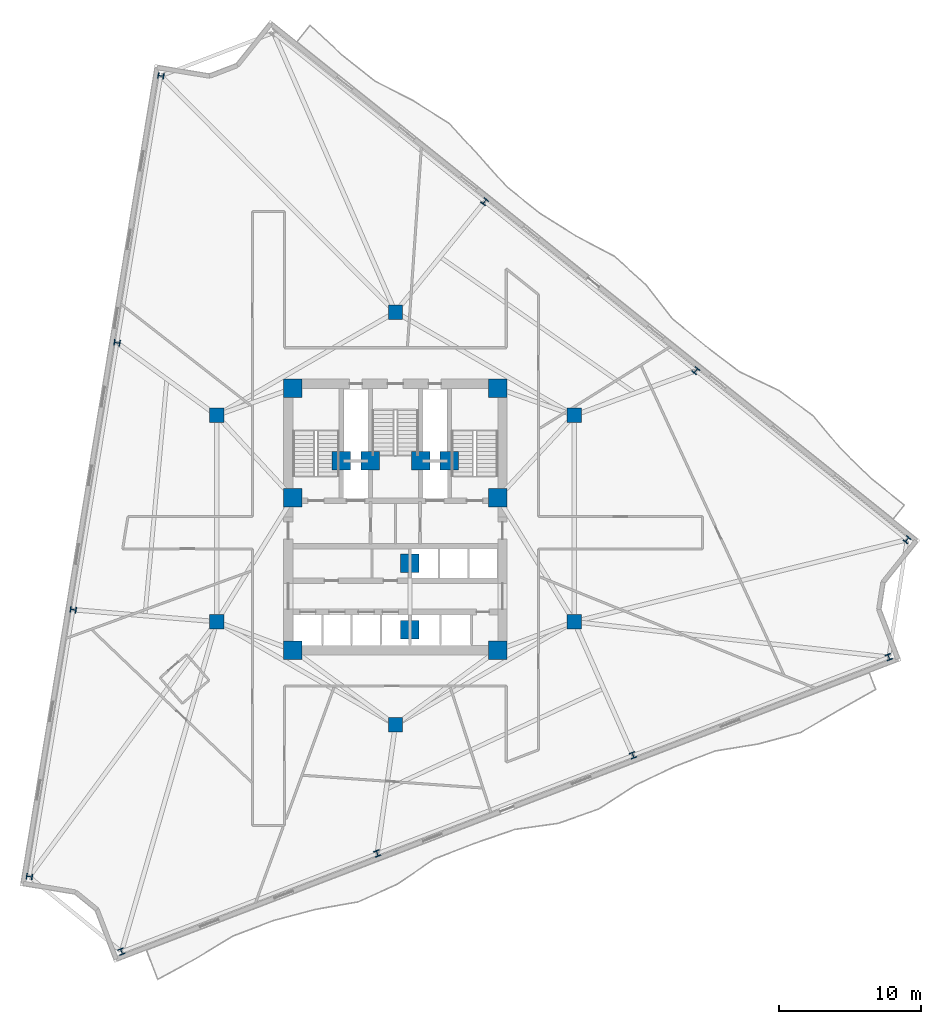
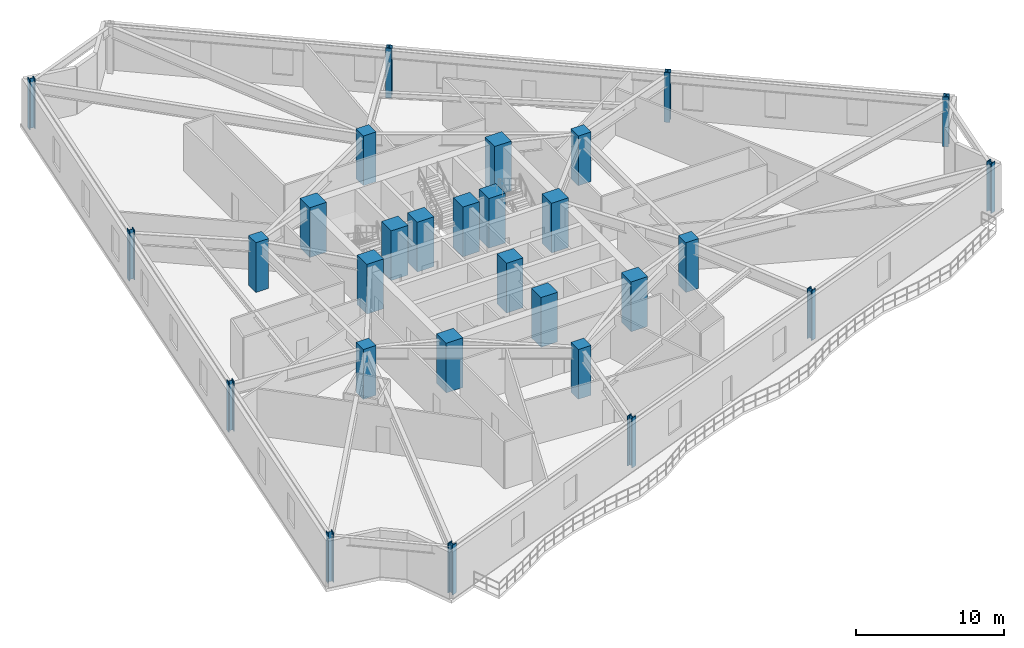
# One storey, part 1 of 10: 29 columns.
"""IFC4 building model written with IfcOpenShell, lengths in metres."""

from ifc_helpers import new_model, si_unit, direction, frame, origin, origin_2d, place, context, subcontext, project, spatial, rectangle, i_section, extrude, material, material_profile, profile_set, type_object, element, save


model = new_model("IFC4")

# Units and contexts
model_context = context("Model", 3, precision=1e-05, world=origin(), true_north=direction((0.0, 1.0)))
body_context = subcontext(model_context, "Body", "Model", "MODEL_VIEW")
ifc_project = project(units=[si_unit("LENGTHUNIT", "METRE"), si_unit("AREAUNIT", "SQUARE_METRE"), si_unit("VOLUMEUNIT", "CUBIC_METRE"), si_unit("PLANEANGLEUNIT", "RADIAN"), si_unit("MASSUNIT", "GRAM", prefix="KILO")], contexts=[model_context])

# Site, building, storey
site_placement = place(None, origin())
site = spatial("IfcSite", under=ifc_project, at=site_placement, CompositionType="ELEMENT")
building_placement = place(site_placement, origin())
building = spatial("IfcBuilding", under=site, at=building_placement, Name="Apsidion Concourse Tower", CompositionType="ELEMENT")
storey_placement = place(building_placement, frame((0.0, 0.0, 136.300048828125)))
storey = spatial("IfcBuildingStorey", under=building, at=storey_placement, Name="L31", CompositionType="ELEMENT", Elevation=136.300048828125)

# Columns
ifc_material_1 = material(Name="Concrete C50/60", Category="concrete")
ifc_material_profile_1 = material_profile(ifc_material_1, rectangle(XDim=1.0, YDim=1.0, at=origin_2d()), Name="RC 1000x1000")
ifc_profile_set_1 = profile_set([ifc_material_profile_1], Name="Concrete C50/60")
column_type_1 = type_object("IfcColumnType", Name="COL-RC-1000", PredefinedType="COLUMN", material=ifc_profile_set_1)
for number, where, z_axis, x_axis, name in (
    (1, (-12.56005859375, -7.25, 0.0), (0.0, 0.0, 1.0), (1.0, 0.0, 0.0), "L31 Interior Spine Column IC1"),
    (2, (12.56005859375, -7.25, 0.0), (0.0, 0.0, 1.0), (1.0, 0.0, 0.0), "L31 Interior Spine Column IC2"),
    (3, (12.56005859375, 7.25, 0.0), (0.0, 0.0, 1.0), (1.0, 0.0, 0.0), "L31 Interior Spine Column IC3"),
    (4, (0.0, 14.5, 0.0), (0.0, 0.0, 1.0), (1.0, 0.0, 0.0), "L31 Interior Spine Column IC4"),
    (5, (-12.56005859375, 7.25, 0.0), (0.0, 0.0, 1.0), (1.0, 0.0, 0.0), "L31 Interior Spine Column IC5"),
    (6, (0.0, -14.5, 0.0), (0.0, 0.0, 1.0), (1.0, 0.0, 0.0), "L31 Interior Spine Column IC6"),
):
    element("IfcColumn", number, at=place(storey_placement, frame(where, z_axis=z_axis, x_axis=x_axis)), inside=storey, type_object=column_type_1, Name=name, PredefinedType="COLUMN", context=body_context, shape_type="SweptSolid", body=[
        extrude(rectangle(XDim=1.0, YDim=1.0, at=origin_2d()), origin(), (0.0, 0.0, 1.0), 4.099853515625),
    ])
ifc_material_profile_2 = material_profile(ifc_material_1, rectangle(XDim=1.300048828125, YDim=1.300048828125, at=origin_2d()), Name="RC 1300x1300")
ifc_profile_set_2 = profile_set([ifc_material_profile_2], Name="Concrete C50/60")
column_type_2 = type_object("IfcColumnType", Name="COL-RC-1300", PredefinedType="COLUMN", material=ifc_profile_set_2)
for number, where, z_axis, x_axis, name in (
    (7, (-7.199951171875, -9.25, 0.0), (0.0, 0.0, 1.0), (1.0, 0.0, 0.0), "L31 Core Super-Column SC1"),
    (8, (7.199951171875, -9.25, 0.0), (0.0, 0.0, 1.0), (1.0, 0.0, 0.0), "L31 Core Super-Column SC2"),
    (9, (7.199951171875, 1.449951171875, 0.0), (0.0, 0.0, 1.0), (1.0, 0.0, 0.0), "L31 Core Super-Column SC3"),
    (10, (7.199951171875, 9.14990234375, 0.0), (0.0, 0.0, 1.0), (1.0, 0.0, 0.0), "L31 Core Super-Column SC4"),
    (11, (-7.199951171875, 9.14990234375, 0.0), (0.0, 0.0, 1.0), (1.0, 0.0, 0.0), "L31 Core Super-Column SC5"),
    (12, (-7.199951171875, 1.449951171875, 0.0), (0.0, 0.0, 1.0), (1.0, 0.0, 0.0), "L31 Core Super-Column SC6"),
    (13, (-3.800048828125, 4.050048828125, 0.0), (0.0, 0.0, 1.0), (1.0, 0.0, 0.0), "L31 Core Super-Column CC1"),
    (14, (3.800048828125, 4.050048828125, 0.0), (0.0, 0.0, 1.0), (1.0, 0.0, 0.0), "L31 Core Super-Column CC2"),
    (15, (-1.77490234375, 4.050048828125, 0.0), (0.0, 0.0, 1.0), (1.0, 0.0, 0.0), "L31 Core Super-Column CC3"),
    (16, (1.77490234375, 4.050048828125, 0.0), (0.0, 0.0, 1.0), (1.0, 0.0, 0.0), "L31 Core Super-Column CC4"),
    (17, (1.02490234375, -3.14990234375, 0.0), (0.0, 0.0, 1.0), (1.0, 0.0, 0.0), "L31 Core Super-Column CC5"),
    (18, (1.02490234375, -7.800048828125, 0.0), (0.0, 0.0, 1.0), (1.0, 0.0, 0.0), "L31 Core Super-Column CC6"),
):
    element("IfcColumn", number, at=place(storey_placement, frame(where, z_axis=z_axis, x_axis=x_axis)), inside=storey, type_object=column_type_2, Name=name, PredefinedType="COLUMN", context=body_context, shape_type="SweptSolid", body=[
        extrude(rectangle(XDim=1.300048828125, YDim=1.300048828125, at=origin_2d()), origin(), (0.0, 0.0, 1.0), 4.099853515625),
    ])
ifc_material_2 = material(Name="Structural steel ASTM A992 Grade 50", Category="steel")
ifc_material_profile_3 = material_profile(ifc_material_2, i_section(OverallWidth=0.410888671875, OverallDepth=0.43408203125, WebThickness=0.035888671875, FlangeThickness=0.057373046875, at=origin_2d()), Name="W14X311")
ifc_profile_set_3 = profile_set([ifc_material_profile_3], Name="Structural steel ASTM A992 Grade 50")
column_type_3 = type_object("IfcColumnType", Name="COL-W14-311", PredefinedType="COLUMN", material=ifc_profile_set_3)
for number, where, z_axis, x_axis, name in (
    (19, (-16.477294921875, 31.100341796875, 0.0), (0.0, 0.0, 1.0), (0.162120515372, 0.986770965572, 0.0), "L31 Rotated Perimeter Column PC01"),
    (20, (-19.55859375, 12.34619140625, 0.0), (0.0, 0.0, 1.0), (0.162120515372, 0.986770965572, 0.0), "L31 Rotated Perimeter Column PC02"),
    (21, (-22.6396484375, -6.407958984375, 0.0), (0.0, 0.0, 1.0), (0.162120515372, 0.986770965572, 0.0), "L31 Rotated Perimeter Column PC03"),
    (22, (-25.720703125, -25.162109375, 0.0), (0.0, 0.0, 1.0), (0.162120515372, 0.986770965572, 0.0), "L31 Rotated Perimeter Column PC04"),
    (23, (-19.247314453125, -30.435302734375, 0.0), (0.0, 0.0, 1.0), (0.933580426497, 0.358367949545, 0.0), "L31 Rotated Perimeter Column PC05"),
    (24, (-1.275146484375, -23.53662109375, 0.0), (0.0, 0.0, 1.0), (0.933580426497, 0.358367949545, 0.0), "L31 Rotated Perimeter Column PC06"),
    (25, (16.69677734375, -16.6376953125, 0.0), (0.0, 0.0, 1.0), (0.933580426497, 0.358367949545, 0.0), "L31 Rotated Perimeter Column PC07"),
    (26, (34.668701171875, -9.739013671875, 0.0), (0.0, 0.0, 1.0), (0.933580426497, 0.358367949545, 0.0), "L31 Rotated Perimeter Column PC08"),
    (27, (35.951171875, -1.488525390625, 0.0), (0.0, 0.0, 1.0), (-0.780757676633, 0.624833938242, 0.0), "L31 Rotated Perimeter Column PC09"),
    (28, (21.1123046875, 10.38671875, 0.0), (0.0, 0.0, 1.0), (-0.780757676633, 0.624833938242, 0.0), "L31 Rotated Perimeter Column PC10"),
    (29, (6.2734375, 22.26220703125, 0.0), (0.0, 0.0, 1.0), (-0.780757676633, 0.624833938242, 0.0), "L31 Rotated Perimeter Column PC11"),
):
    element("IfcColumn", number, at=place(storey_placement, frame(where, z_axis=z_axis, x_axis=x_axis)), inside=storey, type_object=column_type_3, Name=name, PredefinedType="COLUMN", context=body_context, shape_type="SweptSolid", body=[
        extrude(i_section(OverallWidth=0.410888671875, OverallDepth=0.43408203125, WebThickness=0.035888671875, FlangeThickness=0.057373046875, at=origin_2d()), origin(), (0.0, 0.0, 1.0), 4.099853515625),
    ])

save(model, "model.ifc")
